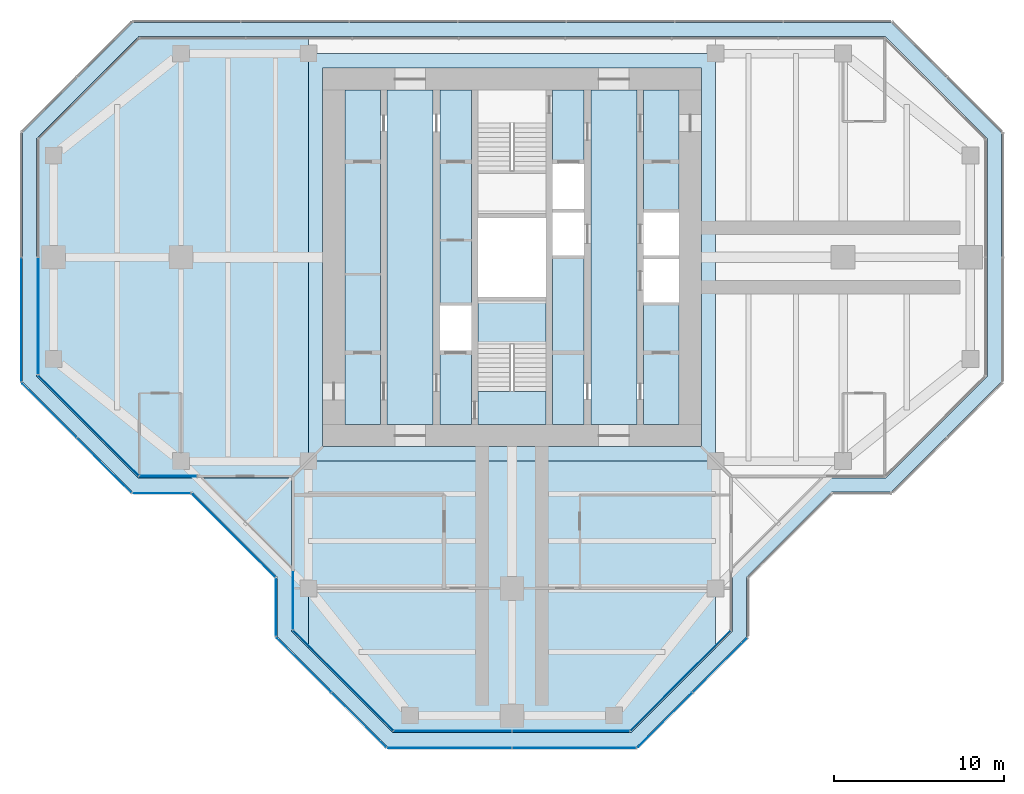
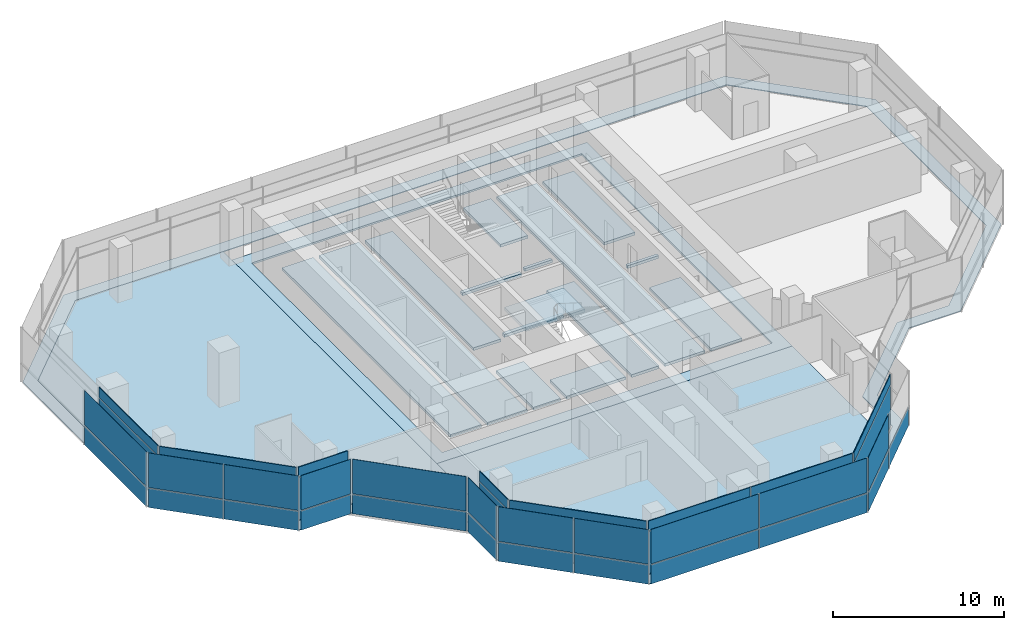
# One storey, part 9 of 15: 40 plates, 7 slabs, 16 elements without a shape of their own.
"""IFC4 building model written with IfcOpenShell, lengths in metres."""

from ifc_helpers import new_model, si_unit, direction, frame, origin, origin_2d, place, context, subcontext, project, spatial, polyline, rectangle, outline, extrude, material, layer, layer_set, type_object, element, aggregate, save


model = new_model("IFC4")

# Units and contexts
model_context = context("Model", 3, precision=1e-05, world=origin(), true_north=direction((0.0, 1.0)))
body_context = subcontext(model_context, "Body", "Model", "MODEL_VIEW")
ifc_project = project(units=[si_unit("LENGTHUNIT", "METRE"), si_unit("AREAUNIT", "SQUARE_METRE"), si_unit("VOLUMEUNIT", "CUBIC_METRE"), si_unit("PLANEANGLEUNIT", "RADIAN"), si_unit("MASSUNIT", "GRAM", prefix="KILO")], contexts=[model_context])

# Site, building, storey
site_placement = place(None, origin())
site = spatial("IfcSite", under=ifc_project, at=site_placement, CompositionType="ELEMENT")
building_placement = place(site_placement, origin())
building = spatial("IfcBuilding", under=site, at=building_placement, Name="Mizan Broadcast Tower", CompositionType="ELEMENT")
storey_placement = place(building_placement, frame((0.0, 0.0, 282.89990234375)))
storey = spatial("IfcBuildingStorey", under=building, at=storey_placement, Name="L67", CompositionType="ELEMENT", Elevation=282.89990234375)

# Plate
ifc_material_1 = material(Name="Aluminium grating", Category="aluminium")
ifc_layer_1 = layer(ifc_material_1, 0.050048828125)
ifc_layer_set_1 = layer_set([ifc_layer_1], Name="Aluminium grating")
plate_type_1 = type_object("IfcPlateType", Name="CAVITY GRATING", PredefinedType="USERDEFINED", material=ifc_layer_set_1)
plate_1_placement = place(storey_placement, frame((0.0, 0.0, -0.0498046875)))
element("IfcPlate", 1, at=plate_1_placement, inside=storey, type_object=plate_type_1, Name="Cavity grating L67", ObjectType="GRATING", PredefinedType="USERDEFINED", context=body_context, shape_type="SweptSolid", body=[
    extrude(outline(polyline([(-22.339599609375, 13.820068359375), (-28.820068359375, 7.339599609375), (-28.820068359375, -7.339599609375), (-22.339599609375, -13.820068359375), (-18.839599609375, -13.820068359375), (-13.820068359375, -18.839599609375), (-13.820068359375, -22.339599609375), (-7.339599609375, -28.820068359375), (7.339599609375, -28.820068359375), (13.820068359375, -22.339599609375), (13.820068359375, -18.839599609375), (18.839599609375, -13.820068359375), (22.339599609375, -13.820068359375), (28.820068359375, -7.339599609375), (28.820068359375, 7.339599609375), (22.339599609375, 13.820068359375), (-22.339599609375, 13.820068359375)]), holes=[polyline([(-18.5, -13.0), (-22.0, -13.0), (-28.0, -7.0), (-28.0, 7.0), (-22.0, 13.0), (22.0, 13.0), (28.0, 7.0), (28.0, -7.0), (22.0, -13.0), (18.5, -13.0), (13.0, -18.5), (13.0, -22.0), (7.0, -28.0), (-7.0, -28.0), (-13.0, -22.0), (-13.0, -18.5), (-18.5, -13.0)])]), origin(), (0.0, 0.0, 1.0), 0.0498046875),
])

# Slabs
ifc_material_2 = material(Name="Concrete C32/40", Category="concrete")
ifc_layer_2 = layer(ifc_material_2, 0.1298828125)
ifc_layer_set_2 = layer_set([ifc_layer_2], Name="Concrete C32/40")
slab_type_1 = type_object("IfcSlabType", Name="COMPOSITE DECK SLAB 130", PredefinedType="FLOOR", material=ifc_layer_set_2)
slab_1_placement = place(storey_placement, frame((0.0, 0.0, -0.1298828125)))
element("IfcSlab", 2, at=slab_1_placement, inside=storey, type_object=slab_type_1, Name="Floor slab L67 centre", PredefinedType="FLOOR", context=body_context, shape_type="SweptSolid", body=[
    extrude(outline(polyline([(-12.0, -12.0), (12.0, -12.0), (12.0, 12.0), (-12.0, 12.0), (-12.0, -12.0)]), holes=[polyline([(-11.14990234375, 11.14990234375), (11.14990234375, 11.14990234375), (11.14990234375, -11.14990234375), (-11.14990234375, -11.14990234375), (-11.14990234375, 11.14990234375)])]), origin(), (0.0, 0.0, 1.0), 0.1298828125),
])
slab_2_placement = place(storey_placement, frame((0.0, 0.0, -0.1298828125)))
element("IfcSlab", 3, at=slab_2_placement, inside=storey, type_object=slab_type_1, Name="Floor slab L67 west arm", PredefinedType="FLOOR", context=body_context, shape_type="SweptSolid", body=[
    extrude(outline(polyline([(-13.0, -22.0), (-12.0, -23.0), (-12.0, 13.0), (-13.0, 13.0), (-22.0, 13.0), (-28.0, 7.0), (-28.0, -7.0), (-22.0, -13.0), (-13.0, -13.0), (-13.0, -22.0)])), origin(), (0.0, 0.0, 1.0), 0.1298828125),
])
slab_3_placement = place(storey_placement, frame((0.0, 0.0, -0.1298828125)))
element("IfcSlab", 4, at=slab_3_placement, inside=storey, type_object=slab_type_1, Name="Floor slab L67 south arm", PredefinedType="FLOOR", context=body_context, shape_type="SweptSolid", body=[
    extrude(outline(polyline([(7.0, -28.0), (12.0, -23.0), (12.0, -12.0), (-12.0, -12.0), (-12.0, -23.0), (-7.0, -28.0), (7.0, -28.0)])), origin(), (0.0, 0.0, 1.0), 0.1298828125),
])
ifc_material_3 = material(Name="Concrete C40/50", Category="concrete")
ifc_layer_3 = layer(ifc_material_3, 0.199951171875)
ifc_layer_set_3 = layer_set([ifc_layer_3], Name="Concrete C40/50")
slab_type_2 = type_object("IfcSlabType", Name="CORE FLOOR 200", PredefinedType="FLOOR", material=ifc_layer_set_3)
slab_4_placement = place(storey_placement, frame((0.0, 0.0, -0.199951171875)))
element("IfcSlab", 5, at=slab_4_placement, inside=storey, type_object=slab_type_2, Name="Core floor L67", PredefinedType="FLOOR", context=body_context, shape_type="SweptSolid", body=[
    extrude(outline(polyline([(-9.85009765625, -9.85009765625), (-7.75, -9.85009765625), (-7.75, 9.85009765625), (-9.85009765625, 9.85009765625), (-9.85009765625, -9.85009765625)])), origin(), (0.0, 0.0, 1.0), 0.199951171875),
    extrude(outline(polyline([(-4.64990234375, 9.85009765625), (-7.35009765625, 9.85009765625), (-7.35009765625, -9.85009765625), (-4.64990234375, -9.85009765625), (-4.64990234375, 9.85009765625)])), origin(), (0.0, 0.0, 1.0), 0.199951171875),
    extrude(outline(polyline([(-4.25, -5.5), (-4.25, -9.85009765625), (-2.39990234375, -9.85009765625), (-2.39990234375, -5.5), (-4.25, -5.5)])), origin(), (0.0, 0.0, 1.0), 0.199951171875),
    extrude(outline(polyline([(-4.25, -2.85009765625), (-2.39990234375, -2.85009765625), (-2.39990234375, 9.85009765625), (-4.25, 9.85009765625), (-4.25, -2.85009765625)])), origin(), (0.0, 0.0, 1.0), 0.199951171875),
    extrude(outline(polyline([(2.0, -2.324951171875), (-2.0, -2.324951171875), (-2.0, -2.574951171875), (2.0, -2.574951171875), (2.0, -2.324951171875)])), origin(), (0.0, 0.0, 1.0), 0.199951171875),
    extrude(outline(polyline([(2.0, 2.574951171875), (-2.0, 2.574951171875), (-2.0, 2.324951171875), (2.0, 2.324951171875), (2.0, 2.574951171875)])), origin(), (0.0, 0.0, 1.0), 0.199951171875),
    extrude(outline(polyline([(4.25, -9.85009765625), (4.25, 0.10009765625), (2.39990234375, 0.10009765625), (2.39990234375, -9.85009765625), (4.25, -9.85009765625)])), origin(), (0.0, 0.0, 1.0), 0.199951171875),
    extrude(outline(polyline([(4.25, 2.64990234375), (4.25, 2.85009765625), (2.39990234375, 2.85009765625), (2.39990234375, 2.64990234375), (4.25, 2.64990234375)])), origin(), (0.0, 0.0, 1.0), 0.199951171875),
    extrude(outline(polyline([(4.25, 5.5), (4.25, 9.85009765625), (2.39990234375, 9.85009765625), (2.39990234375, 5.5), (4.25, 5.5)])), origin(), (0.0, 0.0, 1.0), 0.199951171875),
    extrude(outline(polyline([(4.64990234375, 9.85009765625), (4.64990234375, -9.85009765625), (7.35009765625, -9.85009765625), (7.35009765625, 9.85009765625), (4.64990234375, 9.85009765625)])), origin(), (0.0, 0.0, 1.0), 0.199951171875),
    extrude(outline(polyline([(9.85009765625, -9.85009765625), (9.85009765625, -2.64990234375), (7.75, -2.64990234375), (7.75, -9.85009765625), (9.85009765625, -9.85009765625)])), origin(), (0.0, 0.0, 1.0), 0.199951171875),
    extrude(outline(polyline([(9.85009765625, -0.10009765625), (9.85009765625, 0.10009765625), (7.75, 0.10009765625), (7.75, -0.10009765625), (9.85009765625, -0.10009765625)])), origin(), (0.0, 0.0, 1.0), 0.199951171875),
    extrude(outline(polyline([(7.75, 9.85009765625), (7.75, 2.64990234375), (9.85009765625, 2.64990234375), (9.85009765625, 9.85009765625), (7.75, 9.85009765625)])), origin(), (0.0, 0.0, 1.0), 0.199951171875),
])

# Curtain wall, plate
ifc_material_4 = material(Name="Aluminium framed glazing", Category="aluminium")
curtain_wall_type_1 = type_object("IfcCurtainWallType", Name="INNER SKIN TOP ZONE", PredefinedType="USERDEFINED", material=ifc_material_4)
curtain_wall_1_placement = place(storey_placement, origin())
curtain_wall_1 = element("IfcCurtainWall", 6, at=curtain_wall_1_placement, inside=storey, type_object=curtain_wall_type_1, Name="Inner skin top zone L67 W end", ObjectType="INNER SKIN TOP ZONE", PredefinedType="USERDEFINED")
ifc_material_5 = material(Name="Double glazing, clear low-e", Category="glass")
ifc_layer_4 = layer(ifc_material_5, 0.028076171875)
ifc_layer_set_4 = layer_set([ifc_layer_4], Name="Double glazing, clear low-e")
plate_type_2 = type_object("IfcPlateType", Name="INNER SKIN GLAZING UNIT", PredefinedType="CURTAIN_PANEL", material=ifc_layer_set_4)
plate_2_placement = place(storey_placement, frame((-27.89990234375, -3.46435546875, 0.0), z_axis=(0.0, 0.0, 1.0), x_axis=(0.0, -1.0, 0.0)))
plate_2 = element("IfcPlate", 7, at=plate_2_placement, type_object=plate_type_2, Name="Inner skin top zone L67 W end panel 2.1", PredefinedType="CURTAIN_PANEL", context=body_context, shape_type="SweptSolid", body=[
    extrude(rectangle(XDim=6.86865234375, YDim=0.028076171875, at=origin_2d()), origin(), (0.0, 0.0, 1.0), 3.0),
])

curtain_wall_2_placement = place(storey_placement, origin())
curtain_wall_2 = element("IfcCurtainWall", 8, at=curtain_wall_2_placement, inside=storey, type_object=curtain_wall_type_1, Name="Inner skin top zone L67 W chamfer", ObjectType="INNER SKIN TOP ZONE", PredefinedType="USERDEFINED")
plate_3_placement = place(storey_placement, frame((-24.92919921875, -9.92919921875, 0.0), z_axis=(0.0, 0.0, 1.0), x_axis=(0.707106781187, -0.707106781187, 0.0)))
plate_3 = element("IfcPlate", 9, at=plate_3_placement, type_object=plate_type_2, Name="Inner skin top zone L67 W chamfer panel 1.1", PredefinedType="CURTAIN_PANEL", context=body_context, shape_type="SweptSolid", body=[
    extrude(rectangle(XDim=8.282470703125, YDim=0.028076171875, at=origin_2d()), origin(), (0.0, 0.0, 1.0), 3.0),
])

curtain_wall_3_placement = place(storey_placement, origin())
curtain_wall_3 = element("IfcCurtainWall", 10, at=curtain_wall_3_placement, inside=storey, type_object=curtain_wall_type_1, Name="Inner skin top zone L67 W side", ObjectType="INNER SKIN TOP ZONE", PredefinedType="USERDEFINED")
plate_4_placement = place(storey_placement, frame((-20.229248046875, -12.89990234375, 0.0), z_axis=(0.0, 0.0, 1.0), x_axis=(1.0, 0.0, 0.0)))
plate_4 = element("IfcPlate", 11, at=plate_4_placement, type_object=plate_type_2, Name="Inner skin top zone L67 W side panel 1.1", PredefinedType="CURTAIN_PANEL", context=body_context, shape_type="SweptSolid", body=[
    extrude(rectangle(XDim=3.338623046875, YDim=0.028076171875, at=origin_2d()), origin(), (0.0, 0.0, 1.0), 3.0),
])

curtain_wall_4_placement = place(storey_placement, origin())
curtain_wall_4 = element("IfcCurtainWall", 12, at=curtain_wall_4_placement, inside=storey, type_object=curtain_wall_type_1, Name="Inner skin top zone L67 S side", ObjectType="INNER SKIN TOP ZONE", PredefinedType="USERDEFINED")
plate_5_placement = place(storey_placement, frame((-12.89990234375, -20.229248046875, 0.0), z_axis=(0.0, 0.0, 1.0), x_axis=(0.0, -1.0, 0.0)))
plate_5 = element("IfcPlate", 13, at=plate_5_placement, type_object=plate_type_2, Name="Inner skin top zone L67 S side panel 1.1", PredefinedType="CURTAIN_PANEL", context=body_context, shape_type="SweptSolid", body=[
    extrude(rectangle(XDim=3.338623046875, YDim=0.028076171875, at=origin_2d()), origin(), (0.0, 0.0, 1.0), 3.0),
])

curtain_wall_5_placement = place(storey_placement, origin())
curtain_wall_5 = element("IfcCurtainWall", 14, at=curtain_wall_5_placement, inside=storey, type_object=curtain_wall_type_1, Name="Inner skin top zone L67 S chamfer", ObjectType="INNER SKIN TOP ZONE", PredefinedType="USERDEFINED")
plate_6_placement = place(storey_placement, frame((-9.92919921875, -24.92919921875, 0.0), z_axis=(0.0, 0.0, 1.0), x_axis=(0.707106781187, -0.707106781187, 0.0)))
plate_6 = element("IfcPlate", 15, at=plate_6_placement, type_object=plate_type_2, Name="Inner skin top zone L67 S chamfer panel 1.1", PredefinedType="CURTAIN_PANEL", context=body_context, shape_type="SweptSolid", body=[
    extrude(rectangle(XDim=8.282470703125, YDim=0.028076171875, at=origin_2d()), origin(), (0.0, 0.0, 1.0), 3.0),
])

# Curtain wall, plates
curtain_wall_6_placement = place(storey_placement, origin())
curtain_wall_6 = element("IfcCurtainWall", 16, at=curtain_wall_6_placement, inside=storey, type_object=curtain_wall_type_1, Name="Inner skin top zone L67 S end", ObjectType="INNER SKIN TOP ZONE", PredefinedType="USERDEFINED")
plate_7_placement = place(storey_placement, frame((-3.46435546875, -27.89990234375, 0.0), z_axis=(0.0, 0.0, 1.0), x_axis=(1.0, 0.0, 0.0)))
plate_7 = element("IfcPlate", 17, at=plate_7_placement, type_object=plate_type_2, Name="Inner skin top zone L67 S end panel 1.1", PredefinedType="CURTAIN_PANEL", context=body_context, shape_type="SweptSolid", body=[
    extrude(rectangle(XDim=6.86865234375, YDim=0.028076171875, at=origin_2d()), origin(), (0.0, 0.0, 1.0), 3.0),
])
plate_8_placement = place(storey_placement, frame((3.46435546875, -27.89990234375, 0.0), z_axis=(0.0, 0.0, 1.0), x_axis=(1.0, 0.0, 0.0)))
plate_8 = element("IfcPlate", 18, at=plate_8_placement, type_object=plate_type_2, Name="Inner skin top zone L67 S end panel 2.1", PredefinedType="CURTAIN_PANEL", context=body_context, shape_type="SweptSolid", body=[
    extrude(rectangle(XDim=6.86865234375, YDim=0.028076171875, at=origin_2d()), origin(), (0.0, 0.0, 1.0), 3.0),
])

# Curtain wall, plate
curtain_wall_7_placement = place(storey_placement, origin())
curtain_wall_7 = element("IfcCurtainWall", 19, at=curtain_wall_7_placement, inside=storey, type_object=curtain_wall_type_1, Name="Inner skin top zone L67 S chamfer", ObjectType="INNER SKIN TOP ZONE", PredefinedType="USERDEFINED")
plate_9_placement = place(storey_placement, frame((9.92919921875, -24.92919921875, 0.0), z_axis=(0.0, 0.0, 1.0), x_axis=(0.707106781187, 0.707106781187, 0.0)))
plate_9 = element("IfcPlate", 20, at=plate_9_placement, type_object=plate_type_2, Name="Inner skin top zone L67 S chamfer panel 1.1", PredefinedType="CURTAIN_PANEL", context=body_context, shape_type="SweptSolid", body=[
    extrude(rectangle(XDim=8.282470703125, YDim=0.028076171875, at=origin_2d()), origin(), (0.0, 0.0, 1.0), 3.0),
])

# Plate
ifc_material_6 = material(Name="Insulated aluminium spandrel panel, pale anodised", Category="aluminium")
ifc_layer_5 = layer(ifc_material_6, 0.050048828125)
ifc_layer_set_5 = layer_set([ifc_layer_5], Name="Insulated aluminium spandrel panel, pale anodised")
plate_type_3 = type_object("IfcPlateType", Name="INNER SKIN SPANDREL PANEL", PredefinedType="CURTAIN_PANEL", material=ifc_layer_set_5)
plate_10_placement = place(storey_placement, frame((-27.89990234375, -3.46435546875, 3.06005859375), z_axis=(0.0, 0.0, 1.0), x_axis=(0.0, -1.0, 0.0)))
plate_10 = element("IfcPlate", 21, at=plate_10_placement, type_object=plate_type_3, Name="Inner skin top zone L67 W end panel 2.2", PredefinedType="CURTAIN_PANEL", context=body_context, shape_type="SweptSolid", body=[
    extrude(rectangle(XDim=6.86865234375, YDim=0.050048828125, at=origin_2d()), origin(), (0.0, 0.0, 1.0), 0.7099609375),
])

aggregate(curtain_wall_1, [plate_2, plate_10])

plate_11_placement = place(storey_placement, frame((-24.92919921875, -9.92919921875, 3.06005859375), z_axis=(0.0, 0.0, 1.0), x_axis=(0.707106781187, -0.707106781187, 0.0)))
plate_11 = element("IfcPlate", 22, at=plate_11_placement, type_object=plate_type_3, Name="Inner skin top zone L67 W chamfer panel 1.2", PredefinedType="CURTAIN_PANEL", context=body_context, shape_type="SweptSolid", body=[
    extrude(rectangle(XDim=8.282470703125, YDim=0.050048828125, at=origin_2d()), origin(), (0.0, 0.0, 1.0), 0.7099609375),
])

aggregate(curtain_wall_2, [plate_3, plate_11])

plate_12_placement = place(storey_placement, frame((-20.229248046875, -12.89990234375, 3.06005859375), z_axis=(0.0, 0.0, 1.0), x_axis=(1.0, 0.0, 0.0)))
plate_12 = element("IfcPlate", 23, at=plate_12_placement, type_object=plate_type_3, Name="Inner skin top zone L67 W side panel 1.2", PredefinedType="CURTAIN_PANEL", context=body_context, shape_type="SweptSolid", body=[
    extrude(rectangle(XDim=3.338623046875, YDim=0.050048828125, at=origin_2d()), origin(), (0.0, 0.0, 1.0), 0.7099609375),
])

aggregate(curtain_wall_3, [plate_4, plate_12])

plate_13_placement = place(storey_placement, frame((-12.89990234375, -20.229248046875, 3.06005859375), z_axis=(0.0, 0.0, 1.0), x_axis=(0.0, -1.0, 0.0)))
plate_13 = element("IfcPlate", 24, at=plate_13_placement, type_object=plate_type_3, Name="Inner skin top zone L67 S side panel 1.2", PredefinedType="CURTAIN_PANEL", context=body_context, shape_type="SweptSolid", body=[
    extrude(rectangle(XDim=3.338623046875, YDim=0.050048828125, at=origin_2d()), origin(), (0.0, 0.0, 1.0), 0.7099609375),
])

aggregate(curtain_wall_4, [plate_5, plate_13])

plate_14_placement = place(storey_placement, frame((-9.92919921875, -24.92919921875, 3.06005859375), z_axis=(0.0, 0.0, 1.0), x_axis=(0.707106781187, -0.707106781187, 0.0)))
plate_14 = element("IfcPlate", 25, at=plate_14_placement, type_object=plate_type_3, Name="Inner skin top zone L67 S chamfer panel 1.2", PredefinedType="CURTAIN_PANEL", context=body_context, shape_type="SweptSolid", body=[
    extrude(rectangle(XDim=8.282470703125, YDim=0.050048828125, at=origin_2d()), origin(), (0.0, 0.0, 1.0), 0.7099609375),
])

aggregate(curtain_wall_5, [plate_6, plate_14])

plate_15_placement = place(storey_placement, frame((-3.46435546875, -27.89990234375, 3.06005859375), z_axis=(0.0, 0.0, 1.0), x_axis=(1.0, 0.0, 0.0)))
plate_15 = element("IfcPlate", 26, at=plate_15_placement, type_object=plate_type_3, Name="Inner skin top zone L67 S end panel 1.2", PredefinedType="CURTAIN_PANEL", context=body_context, shape_type="SweptSolid", body=[
    extrude(rectangle(XDim=6.86865234375, YDim=0.050048828125, at=origin_2d()), origin(), (0.0, 0.0, 1.0), 0.7099609375),
])

plate_16_placement = place(storey_placement, frame((3.46435546875, -27.89990234375, 3.06005859375), z_axis=(0.0, 0.0, 1.0), x_axis=(1.0, 0.0, 0.0)))
plate_16 = element("IfcPlate", 27, at=plate_16_placement, type_object=plate_type_3, Name="Inner skin top zone L67 S end panel 2.2", PredefinedType="CURTAIN_PANEL", context=body_context, shape_type="SweptSolid", body=[
    extrude(rectangle(XDim=6.86865234375, YDim=0.050048828125, at=origin_2d()), origin(), (0.0, 0.0, 1.0), 0.7099609375),
])

aggregate(curtain_wall_6, [plate_7, plate_15, plate_8, plate_16])

plate_17_placement = place(storey_placement, frame((9.92919921875, -24.92919921875, 3.06005859375), z_axis=(0.0, 0.0, 1.0), x_axis=(0.707106781187, 0.707106781187, 0.0)))
plate_17 = element("IfcPlate", 28, at=plate_17_placement, type_object=plate_type_3, Name="Inner skin top zone L67 S chamfer panel 1.2", PredefinedType="CURTAIN_PANEL", context=body_context, shape_type="SweptSolid", body=[
    extrude(rectangle(XDim=8.282470703125, YDim=0.050048828125, at=origin_2d()), origin(), (0.0, 0.0, 1.0), 0.7099609375),
])

aggregate(curtain_wall_7, [plate_9, plate_17])

# Curtain wall, plates
ifc_material_7 = material(Name="Aluminium framed glazing", Category="aluminium")
curtain_wall_type_2 = type_object("IfcCurtainWallType", Name="OUTER SKIN", PredefinedType="USERDEFINED", material=ifc_material_7)
curtain_wall_8_placement = place(storey_placement, origin())
curtain_wall_8 = element("IfcCurtainWall", 29, at=curtain_wall_8_placement, inside=storey, type_object=curtain_wall_type_2, Name="Outer skin L67 W chamfer", ObjectType="OUTER SKIN", PredefinedType="USERDEFINED")
ifc_material_8 = material(Name="Laminated clear glass", Category="glass")
ifc_layer_6 = layer(ifc_material_8, 0.02001953125)
ifc_layer_set_6 = layer_set([ifc_layer_6], Name="Laminated clear glass")
plate_type_4 = type_object("IfcPlateType", Name="OUTER SKIN CLEAR GLASS", PredefinedType="CURTAIN_PANEL", material=ifc_layer_set_6)
plate_18_placement = place(storey_placement, frame((-27.254150390625, -9.018798828125, 0.0), z_axis=(0.0, 0.0, 1.0), x_axis=(0.707106781187, -0.707106781187, 0.0)))
plate_18 = element("IfcPlate", 30, at=plate_18_placement, type_object=plate_type_4, Name="Outer skin L67 W chamfer panel 1.1", PredefinedType="CURTAIN_PANEL", context=body_context, shape_type="SweptSolid", body=[
    extrude(rectangle(XDim=4.495361328125, YDim=0.02001953125, at=origin_2d()), origin(), (0.0, 0.0, 1.0), 1.3701171875),
])
plate_19_placement = place(storey_placement, frame((-27.254150390625, -9.018798828125, 1.43017578125), z_axis=(0.0, 0.0, 1.0), x_axis=(0.707106781187, -0.707106781187, 0.0)))
plate_19 = element("IfcPlate", 31, at=plate_19_placement, type_object=plate_type_4, Name="Outer skin L67 W chamfer panel 1.2", PredefinedType="CURTAIN_PANEL", context=body_context, shape_type="SweptSolid", body=[
    extrude(rectangle(XDim=4.495361328125, YDim=0.02001953125, at=origin_2d()), origin(), (0.0, 0.0, 1.0), 2.469970703125),
])

curtain_wall_9_placement = place(storey_placement, origin())
curtain_wall_9 = element("IfcCurtainWall", 32, at=curtain_wall_9_placement, inside=storey, type_object=curtain_wall_type_2, Name="Outer skin L67 W side", ObjectType="OUTER SKIN", PredefinedType="USERDEFINED")
plate_20_placement = place(storey_placement, frame((-20.622802734375, -13.89990234375, 0.0), z_axis=(0.0, 0.0, 1.0), x_axis=(1.0, 0.0, 0.0)))
plate_20 = element("IfcPlate", 33, at=plate_20_placement, type_object=plate_type_4, Name="Outer skin L67 W side panel 1.1", PredefinedType="CURTAIN_PANEL", context=body_context, shape_type="SweptSolid", body=[
    extrude(rectangle(XDim=3.340087890625, YDim=0.02001953125, at=origin_2d()), origin(), (0.0, 0.0, 1.0), 1.3701171875),
])
plate_21_placement = place(storey_placement, frame((-20.622802734375, -13.89990234375, 1.43017578125), z_axis=(0.0, 0.0, 1.0), x_axis=(1.0, 0.0, 0.0)))
plate_21 = element("IfcPlate", 34, at=plate_21_placement, type_object=plate_type_4, Name="Outer skin L67 W side panel 1.2", PredefinedType="CURTAIN_PANEL", context=body_context, shape_type="SweptSolid", body=[
    extrude(rectangle(XDim=3.340087890625, YDim=0.02001953125, at=origin_2d()), origin(), (0.0, 0.0, 1.0), 2.469970703125),
])
aggregate(curtain_wall_9, [plate_20, plate_21])

curtain_wall_10_placement = place(storey_placement, origin())
curtain_wall_10 = element("IfcCurtainWall", 35, at=curtain_wall_10_placement, inside=storey, type_object=curtain_wall_type_2, Name="Outer skin L67 W chamfer", ObjectType="OUTER SKIN", PredefinedType="USERDEFINED")
plate_22_placement = place(storey_placement, frame((-16.386474609375, -16.386474609375, 0.0), z_axis=(0.0, 0.0, 1.0), x_axis=(0.707106781187, -0.707106781187, 0.0)))
plate_22 = element("IfcPlate", 36, at=plate_22_placement, type_object=plate_type_4, Name="Outer skin L67 W chamfer panel 1.1", PredefinedType="CURTAIN_PANEL", context=body_context, shape_type="SweptSolid", body=[
    extrude(rectangle(XDim=6.87255859375, YDim=0.02001953125, at=origin_2d()), origin(), (0.0, 0.0, 1.0), 1.3701171875),
])
plate_23_placement = place(storey_placement, frame((-16.386474609375, -16.386474609375, 1.43017578125), z_axis=(0.0, 0.0, 1.0), x_axis=(0.707106781187, -0.707106781187, 0.0)))
plate_23 = element("IfcPlate", 37, at=plate_23_placement, type_object=plate_type_4, Name="Outer skin L67 W chamfer panel 1.2", PredefinedType="CURTAIN_PANEL", context=body_context, shape_type="SweptSolid", body=[
    extrude(rectangle(XDim=6.87255859375, YDim=0.02001953125, at=origin_2d()), origin(), (0.0, 0.0, 1.0), 2.469970703125),
])
aggregate(curtain_wall_10, [plate_22, plate_23])

curtain_wall_11_placement = place(storey_placement, origin())
curtain_wall_11 = element("IfcCurtainWall", 38, at=curtain_wall_11_placement, inside=storey, type_object=curtain_wall_type_2, Name="Outer skin L67 S side", ObjectType="OUTER SKIN", PredefinedType="USERDEFINED")
plate_24_placement = place(storey_placement, frame((-13.89990234375, -20.622802734375, 0.0), z_axis=(0.0, 0.0, 1.0), x_axis=(0.0, -1.0, 0.0)))
plate_24 = element("IfcPlate", 39, at=plate_24_placement, type_object=plate_type_4, Name="Outer skin L67 S side panel 1.1", PredefinedType="CURTAIN_PANEL", context=body_context, shape_type="SweptSolid", body=[
    extrude(rectangle(XDim=3.340087890625, YDim=0.02001953125, at=origin_2d()), origin(), (0.0, 0.0, 1.0), 1.3701171875),
])
plate_25_placement = place(storey_placement, frame((-13.89990234375, -20.622802734375, 1.43017578125), z_axis=(0.0, 0.0, 1.0), x_axis=(0.0, -1.0, 0.0)))
plate_25 = element("IfcPlate", 40, at=plate_25_placement, type_object=plate_type_4, Name="Outer skin L67 S side panel 1.2", PredefinedType="CURTAIN_PANEL", context=body_context, shape_type="SweptSolid", body=[
    extrude(rectangle(XDim=3.340087890625, YDim=0.02001953125, at=origin_2d()), origin(), (0.0, 0.0, 1.0), 2.469970703125),
])
aggregate(curtain_wall_11, [plate_24, plate_25])

curtain_wall_12_placement = place(storey_placement, origin())
curtain_wall_12 = element("IfcCurtainWall", 41, at=curtain_wall_12_placement, inside=storey, type_object=curtain_wall_type_2, Name="Outer skin L67 S chamfer", ObjectType="OUTER SKIN", PredefinedType="USERDEFINED")
plate_26_placement = place(storey_placement, frame((-12.254150390625, -24.018798828125, 0.0), z_axis=(0.0, 0.0, 1.0), x_axis=(0.707106781187, -0.707106781187, 0.0)))
plate_26 = element("IfcPlate", 42, at=plate_26_placement, type_object=plate_type_4, Name="Outer skin L67 S chamfer panel 1.1", PredefinedType="CURTAIN_PANEL", context=body_context, shape_type="SweptSolid", body=[
    extrude(rectangle(XDim=4.495361328125, YDim=0.02001953125, at=origin_2d()), origin(), (0.0, 0.0, 1.0), 1.3701171875),
])
plate_27_placement = place(storey_placement, frame((-12.254150390625, -24.018798828125, 1.43017578125), z_axis=(0.0, 0.0, 1.0), x_axis=(0.707106781187, -0.707106781187, 0.0)))
plate_27 = element("IfcPlate", 43, at=plate_27_placement, type_object=plate_type_4, Name="Outer skin L67 S chamfer panel 1.2", PredefinedType="CURTAIN_PANEL", context=body_context, shape_type="SweptSolid", body=[
    extrude(rectangle(XDim=4.495361328125, YDim=0.02001953125, at=origin_2d()), origin(), (0.0, 0.0, 1.0), 2.469970703125),
])

curtain_wall_13_placement = place(storey_placement, origin())
curtain_wall_13 = element("IfcCurtainWall", 44, at=curtain_wall_13_placement, inside=storey, type_object=curtain_wall_type_2, Name="Outer skin L67 S end", ObjectType="OUTER SKIN", PredefinedType="USERDEFINED")
plate_28_placement = place(storey_placement, frame((-3.66650390625, -28.89990234375, 0.0), z_axis=(0.0, 0.0, 1.0), x_axis=(1.0, 0.0, 0.0)))
plate_28 = element("IfcPlate", 45, at=plate_28_placement, type_object=plate_type_4, Name="Outer skin L67 S end panel 1.1", PredefinedType="CURTAIN_PANEL", context=body_context, shape_type="SweptSolid", body=[
    extrude(rectangle(XDim=7.252685546875, YDim=0.02001953125, at=origin_2d()), origin(), (0.0, 0.0, 1.0), 1.3701171875),
])
plate_29_placement = place(storey_placement, frame((-3.66650390625, -28.89990234375, 1.43017578125), z_axis=(0.0, 0.0, 1.0), x_axis=(1.0, 0.0, 0.0)))
plate_29 = element("IfcPlate", 46, at=plate_29_placement, type_object=plate_type_4, Name="Outer skin L67 S end panel 1.2", PredefinedType="CURTAIN_PANEL", context=body_context, shape_type="SweptSolid", body=[
    extrude(rectangle(XDim=7.252685546875, YDim=0.02001953125, at=origin_2d()), origin(), (0.0, 0.0, 1.0), 2.469970703125),
])

curtain_wall_14_placement = place(storey_placement, origin())
curtain_wall_14 = element("IfcCurtainWall", 47, at=curtain_wall_14_placement, inside=storey, type_object=curtain_wall_type_2, Name="Outer skin L67 S chamfer", ObjectType="OUTER SKIN", PredefinedType="USERDEFINED")
plate_30_placement = place(storey_placement, frame((9.018798828125, -27.254150390625, 0.0), z_axis=(0.0, 0.0, 1.0), x_axis=(0.707106781187, 0.707106781187, 0.0)))
plate_30 = element("IfcPlate", 48, at=plate_30_placement, type_object=plate_type_4, Name="Outer skin L67 S chamfer panel 1.1", PredefinedType="CURTAIN_PANEL", context=body_context, shape_type="SweptSolid", body=[
    extrude(rectangle(XDim=4.495361328125, YDim=0.02001953125, at=origin_2d()), origin(), (0.0, 0.0, 1.0), 1.3701171875),
])
plate_31_placement = place(storey_placement, frame((9.018798828125, -27.254150390625, 1.43017578125), z_axis=(0.0, 0.0, 1.0), x_axis=(0.707106781187, 0.707106781187, 0.0)))
plate_31 = element("IfcPlate", 49, at=plate_31_placement, type_object=plate_type_4, Name="Outer skin L67 S chamfer panel 1.2", PredefinedType="CURTAIN_PANEL", context=body_context, shape_type="SweptSolid", body=[
    extrude(rectangle(XDim=4.495361328125, YDim=0.02001953125, at=origin_2d()), origin(), (0.0, 0.0, 1.0), 2.469970703125),
])

# Plate
ifc_material_9 = material(Name="Perforated aluminium, pale anodised", Category="aluminium")
ifc_layer_7 = layer(ifc_material_9, 0.011962890625)
ifc_layer_set_7 = layer_set([ifc_layer_7], Name="Perforated aluminium, pale anodised")
plate_type_5 = type_object("IfcPlateType", Name="OUTER SKIN PERFORATED SCREEN", PredefinedType="USERDEFINED", material=ifc_layer_set_7)
plate_32_placement = place(storey_placement, frame((-24.018798828125, -12.254150390625, 0.0), z_axis=(0.0, 0.0, 1.0), x_axis=(0.707106781187, -0.707106781187, 0.0)))
plate_32 = element("IfcPlate", 50, at=plate_32_placement, type_object=plate_type_5, Name="Outer skin L67 W chamfer panel 2.1", ObjectType="SCREEN", PredefinedType="USERDEFINED", context=body_context, shape_type="SweptSolid", body=[
    extrude(rectangle(XDim=4.495361328125, YDim=0.011962890625, at=origin_2d()), origin(), (0.0, 0.0, 1.0), 1.3701171875),
])

plate_33_placement = place(storey_placement, frame((-24.018798828125, -12.254150390625, 1.43017578125), z_axis=(0.0, 0.0, 1.0), x_axis=(0.707106781187, -0.707106781187, 0.0)))
plate_33 = element("IfcPlate", 51, at=plate_33_placement, type_object=plate_type_5, Name="Outer skin L67 W chamfer panel 2.2", ObjectType="SCREEN", PredefinedType="USERDEFINED", context=body_context, shape_type="SweptSolid", body=[
    extrude(rectangle(XDim=4.495361328125, YDim=0.011962890625, at=origin_2d()), origin(), (0.0, 0.0, 1.0), 2.469970703125),
])

aggregate(curtain_wall_8, [plate_18, plate_19, plate_32, plate_33])

plate_34_placement = place(storey_placement, frame((-9.018798828125, -27.254150390625, 0.0), z_axis=(0.0, 0.0, 1.0), x_axis=(0.707106781187, -0.707106781187, 0.0)))
plate_34 = element("IfcPlate", 52, at=plate_34_placement, type_object=plate_type_5, Name="Outer skin L67 S chamfer panel 2.1", ObjectType="SCREEN", PredefinedType="USERDEFINED", context=body_context, shape_type="SweptSolid", body=[
    extrude(rectangle(XDim=4.495361328125, YDim=0.011962890625, at=origin_2d()), origin(), (0.0, 0.0, 1.0), 1.3701171875),
])

plate_35_placement = place(storey_placement, frame((-9.018798828125, -27.254150390625, 1.43017578125), z_axis=(0.0, 0.0, 1.0), x_axis=(0.707106781187, -0.707106781187, 0.0)))
plate_35 = element("IfcPlate", 53, at=plate_35_placement, type_object=plate_type_5, Name="Outer skin L67 S chamfer panel 2.2", ObjectType="SCREEN", PredefinedType="USERDEFINED", context=body_context, shape_type="SweptSolid", body=[
    extrude(rectangle(XDim=4.495361328125, YDim=0.011962890625, at=origin_2d()), origin(), (0.0, 0.0, 1.0), 2.469970703125),
])

aggregate(curtain_wall_12, [plate_26, plate_27, plate_34, plate_35])

plate_36_placement = place(storey_placement, frame((3.66650390625, -28.89990234375, 0.0), z_axis=(0.0, 0.0, 1.0), x_axis=(1.0, 0.0, 0.0)))
plate_36 = element("IfcPlate", 54, at=plate_36_placement, type_object=plate_type_5, Name="Outer skin L67 S end panel 2.1", ObjectType="SCREEN", PredefinedType="USERDEFINED", context=body_context, shape_type="SweptSolid", body=[
    extrude(rectangle(XDim=7.252685546875, YDim=0.011962890625, at=origin_2d()), origin(), (0.0, 0.0, 1.0), 1.3701171875),
])

plate_37_placement = place(storey_placement, frame((3.66650390625, -28.89990234375, 1.43017578125), z_axis=(0.0, 0.0, 1.0), x_axis=(1.0, 0.0, 0.0)))
plate_37 = element("IfcPlate", 55, at=plate_37_placement, type_object=plate_type_5, Name="Outer skin L67 S end panel 2.2", ObjectType="SCREEN", PredefinedType="USERDEFINED", context=body_context, shape_type="SweptSolid", body=[
    extrude(rectangle(XDim=7.252685546875, YDim=0.011962890625, at=origin_2d()), origin(), (0.0, 0.0, 1.0), 2.469970703125),
])

aggregate(curtain_wall_13, [plate_28, plate_29, plate_36, plate_37])

plate_38_placement = place(storey_placement, frame((12.254150390625, -24.018798828125, 0.0), z_axis=(0.0, 0.0, 1.0), x_axis=(0.707106781187, 0.707106781187, 0.0)))
plate_38 = element("IfcPlate", 56, at=plate_38_placement, type_object=plate_type_5, Name="Outer skin L67 S chamfer panel 2.1", ObjectType="SCREEN", PredefinedType="USERDEFINED", context=body_context, shape_type="SweptSolid", body=[
    extrude(rectangle(XDim=4.495361328125, YDim=0.011962890625, at=origin_2d()), origin(), (0.0, 0.0, 1.0), 1.3701171875),
])

aggregate(curtain_wall_14, [plate_30, plate_31, plate_38])

# Curtain wall, plates
curtain_wall_15_placement = place(storey_placement, origin())
curtain_wall_15 = element("IfcCurtainWall", 57, at=curtain_wall_15_placement, inside=storey, type_object=curtain_wall_type_2, Name="Outer skin L67 W end", ObjectType="OUTER SKIN", PredefinedType="USERDEFINED")
plate_39_placement = place(storey_placement, frame((-28.89990234375, -3.66650390625, 0.0), z_axis=(0.0, 0.0, 1.0), x_axis=(0.0, -1.0, 0.0)))
plate_39 = element("IfcPlate", 58, at=plate_39_placement, type_object=plate_type_5, Name="Outer skin L67 W end panel 2.1", ObjectType="SCREEN", PredefinedType="USERDEFINED", context=body_context, shape_type="SweptSolid", body=[
    extrude(rectangle(XDim=7.252685546875, YDim=0.011962890625, at=origin_2d()), origin(), (0.0, 0.0, 1.0), 1.3701171875),
])
plate_40_placement = place(storey_placement, frame((-28.89990234375, -3.66650390625, 1.43017578125), z_axis=(0.0, 0.0, 1.0), x_axis=(0.0, -1.0, 0.0)))
plate_40 = element("IfcPlate", 59, at=plate_40_placement, type_object=plate_type_5, Name="Outer skin L67 W end panel 2.2", ObjectType="SCREEN", PredefinedType="USERDEFINED", context=body_context, shape_type="SweptSolid", body=[
    extrude(rectangle(XDim=7.252685546875, YDim=0.011962890625, at=origin_2d()), origin(), (0.0, 0.0, 1.0), 2.469970703125),
])
aggregate(curtain_wall_15, [plate_39, plate_40])

# Stair, slabs
ifc_material_10 = material(Name="Concrete C40/50", Category="concrete")
stair_type = type_object("IfcStairType", Name="EXIT STAIR", PredefinedType="HALF_TURN_STAIR", material=ifc_material_10)
stair_placement = place(storey_placement, origin())
stair = element("IfcStair", 60, at=stair_placement, inside=storey, type_object=stair_type, Name="Stair A L67", PredefinedType="HALF_TURN_STAIR")
ifc_material_11 = material(Name="Concrete C40/50", Category="concrete")
ifc_layer_8 = layer(ifc_material_11, 0.199951171875)
ifc_layer_set_8 = layer_set([ifc_layer_8], Name="Concrete C40/50")
slab_type_3 = type_object("IfcSlabType", Name="STAIR LANDING 200", PredefinedType="LANDING", material=ifc_layer_set_8)
slab_5_placement = place(storey_placement, frame((0.0, 0.0, -0.199951171875)))
slab_5 = element("IfcSlab", 61, at=slab_5_placement, type_object=slab_type_3, Name="A landing 1", PredefinedType="LANDING", context=body_context, shape_type="SweptSolid", body=[
    extrude(outline(polyline([(-2.0, -9.85009765625), (-2.0, -7.89990234375), (2.0, -7.89990234375), (2.0, -9.85009765625), (-2.0, -9.85009765625)])), origin(), (0.0, 0.0, 1.0), 0.199951171875),
])
slab_6_placement = place(storey_placement, frame((0.0, 0.0, 1.75)))
slab_6 = element("IfcSlab", 62, at=slab_6_placement, type_object=slab_type_3, Name="A landing 2", PredefinedType="LANDING", context=body_context, shape_type="SweptSolid", body=[
    extrude(outline(polyline([(-2.0, -5.10009765625), (-2.0, -2.574951171875), (2.0, -2.574951171875), (2.0, -5.10009765625), (-2.0, -5.10009765625)])), origin(), (0.0, 0.0, 1.0), 0.2001953125),
])
aggregate(stair, [slab_5, slab_6])

# Slab
ifc_material_12 = material(Name="Concrete C32/40", Category="concrete")
ifc_layer_9 = layer(ifc_material_12, 0.1298828125)
ifc_layer_set_9 = layer_set([ifc_layer_9], Name="Concrete C32/40")
slab_type_4 = type_object("IfcSlabType", Name="WINTER GARDEN SLAB 130", PredefinedType="FLOOR", material=ifc_layer_set_9)
slab_7_placement = place(storey_placement, frame((0.0, 0.0, -0.1298828125)))
element("IfcSlab", 63, at=slab_7_placement, inside=storey, type_object=slab_type_4, Name="Winter garden slab L67 W", PredefinedType="FLOOR", context=body_context, shape_type="SweptSolid", body=[
    extrude(outline(polyline([(-13.0, -13.0), (-18.5, -13.0), (-13.0, -18.5), (-13.0, -13.0)])), origin(), (0.0, 0.0, 1.0), 0.1298828125),
])

save(model, "model.ifc")
